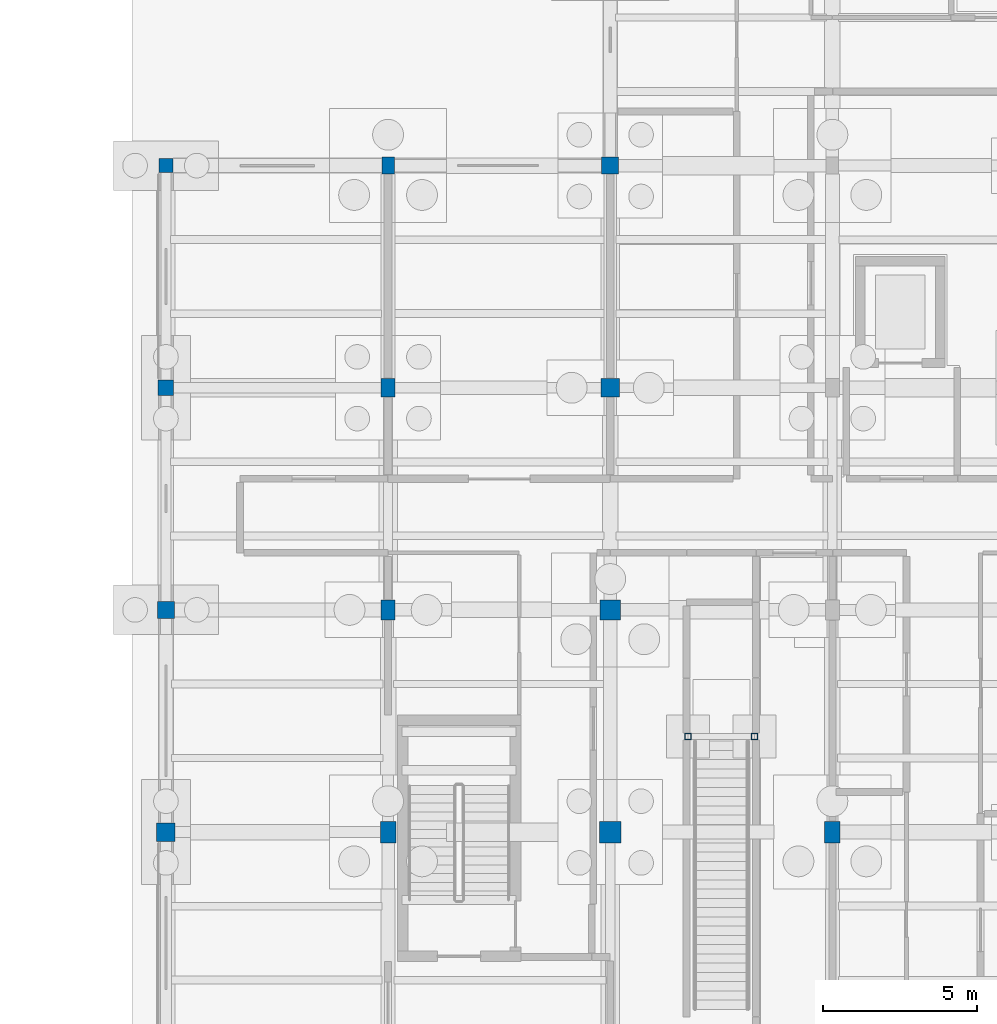
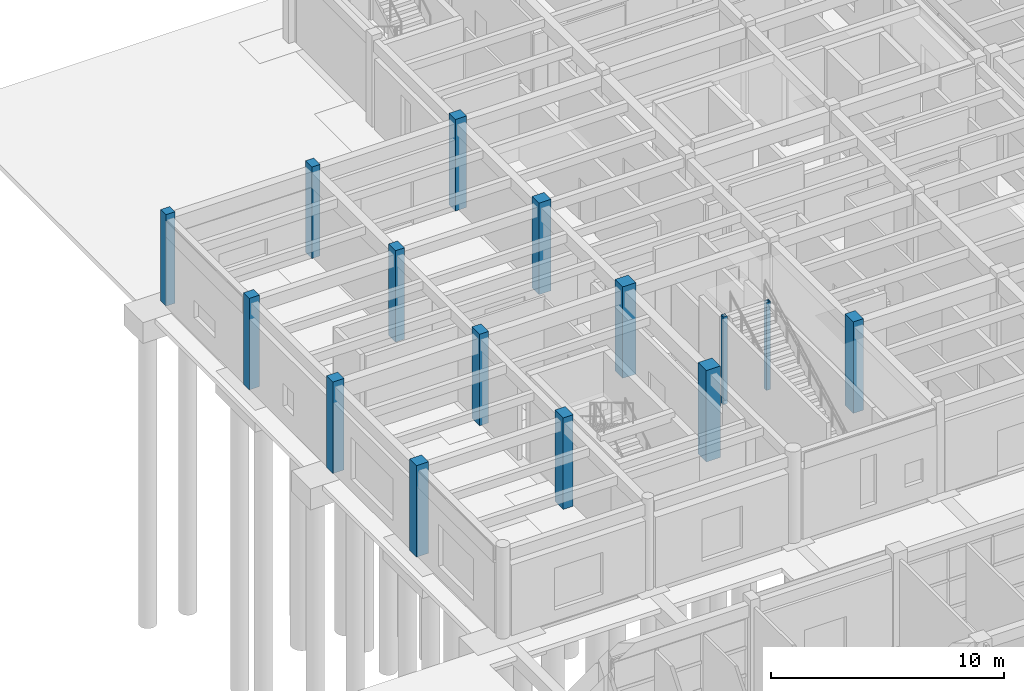
# One storey, part 22 of 143: 15 columns.
"""IFC4 building model written with IfcOpenShell, lengths in metres."""

from ifc_helpers import new_model, si_unit, direction, frame, origin, origin_2d, place, context, subcontext, project, spatial, rectangle, hollow_rectangle, extrude, material, material_profile, profile_set, type_object, element, save


model = new_model("IFC4")

# Units and contexts
model_context = context("Model", 3, precision=1e-05, world=origin(), true_north=direction((0.0, 1.0)))
body_context = subcontext(model_context, "Body", "Model", "MODEL_VIEW")
ifc_project = project(units=[si_unit("LENGTHUNIT", "METRE"), si_unit("AREAUNIT", "SQUARE_METRE"), si_unit("VOLUMEUNIT", "CUBIC_METRE"), si_unit("PLANEANGLEUNIT", "RADIAN"), si_unit("MASSUNIT", "GRAM", prefix="KILO")], contexts=[model_context])

# Site, building, storey
site_placement = place(None, origin())
site = spatial("IfcSite", under=ifc_project, at=site_placement, CompositionType="ELEMENT")
building_placement = place(site_placement, origin())
building = spatial("IfcBuilding", under=site, at=building_placement, Name="Steenspoor Specialist Clinic", CompositionType="ELEMENT")
storey_placement = place(building_placement, origin())
storey = spatial("IfcBuildingStorey", under=building, at=storey_placement, Name="L00", CompositionType="ELEMENT", Elevation=0.0)

# Columns
ifc_material_1 = material(Name="Concrete C40/50", Category="concrete")
ifc_material_profile_1 = material_profile(ifc_material_1, rectangle(XDim=0.39990234375, YDim=0.550048828125, at=origin_2d()), Name="RC-COL-400X550")
ifc_profile_set_1 = profile_set([ifc_material_profile_1], Name="Concrete C40/50")
column_type_1 = type_object("IfcColumnType", Name="COL-RC-400X550", PredefinedType="COLUMN", material=ifc_profile_set_1)
column_1_placement = place(storey_placement, frame((22.800048828125, 93.949951171875, 0.0), z_axis=(0.0, 0.0, 1.0), x_axis=(1.0, 0.0, 0.0)))
element("IfcColumn", 1, at=column_1_placement, inside=storey, type_object=column_type_1, Name="Column COL-L00-0531", PredefinedType="COLUMN", context=body_context, shape_type="SweptSolid", body=[
    extrude(rectangle(XDim=0.39990234375, YDim=0.550048828125, at=origin_2d()), origin(), (0.0, 0.0, 1.0), 4.800048828125),
])
ifc_material_profile_2 = material_profile(ifc_material_1, rectangle(XDim=0.449951171875, YDim=0.449951171875, at=origin_2d()), Name="RC-COL-450X450")
ifc_profile_set_2 = profile_set([ifc_material_profile_2], Name="Concrete C40/50")
column_type_2 = type_object("IfcColumnType", Name="COL-RC-450", PredefinedType="COLUMN", material=ifc_profile_set_2)
column_2_placement = place(storey_placement, frame((15.60009765625, 93.949951171875, 0.0), z_axis=(0.0, 0.0, 1.0), x_axis=(1.0, 0.0, 0.0)))
element("IfcColumn", 2, at=column_2_placement, inside=storey, type_object=column_type_2, Name="Column COL-L00-0514", PredefinedType="COLUMN", context=body_context, shape_type="SweptSolid", body=[
    extrude(rectangle(XDim=0.449951171875, YDim=0.449951171875, at=origin_2d()), origin(), (0.0, 0.0, 1.0), 4.800048828125),
])
ifc_material_profile_3 = material_profile(ifc_material_1, rectangle(XDim=0.449951171875, YDim=0.60009765625, at=origin_2d()), Name="RC-COL-450X600")
ifc_profile_set_3 = profile_set([ifc_material_profile_3], Name="Concrete C40/50")
column_type_3 = type_object("IfcColumnType", Name="COL-RC-450X600", PredefinedType="COLUMN", material=ifc_profile_set_3)
column_3_placement = place(storey_placement, frame((22.800048828125, 86.75, 0.0), z_axis=(0.0, 0.0, 1.0), x_axis=(1.0, 0.0, 0.0)))
element("IfcColumn", 3, at=column_3_placement, inside=storey, type_object=column_type_3, Name="Column COL-L00-0527", PredefinedType="COLUMN", context=body_context, shape_type="SweptSolid", body=[
    extrude(rectangle(XDim=0.449951171875, YDim=0.60009765625, at=origin_2d()), origin(), (0.0, 0.0, 1.0), 4.800048828125),
])
ifc_material_profile_4 = material_profile(ifc_material_1, rectangle(XDim=0.449951171875, YDim=0.64990234375, at=origin_2d()), Name="RC-COL-450X650")
ifc_profile_set_4 = profile_set([ifc_material_profile_4], Name="Concrete C40/50")
column_type_4 = type_object("IfcColumnType", Name="COL-RC-450X650", PredefinedType="COLUMN", material=ifc_profile_set_4)
column_4_placement = place(storey_placement, frame((22.800048828125, 79.550048828125, 0.0), z_axis=(0.0, 0.0, 1.0), x_axis=(1.0, 0.0, 0.0)))
element("IfcColumn", 4, at=column_4_placement, inside=storey, type_object=column_type_4, Name="Column COL-L00-0523", PredefinedType="COLUMN", context=body_context, shape_type="SweptSolid", body=[
    extrude(rectangle(XDim=0.449951171875, YDim=0.64990234375, at=origin_2d()), origin(), (0.0, 0.0, 1.0), 4.800048828125),
])
ifc_material_profile_5 = material_profile(ifc_material_1, rectangle(XDim=0.5, YDim=0.5, at=origin_2d()), Name="RC-COL-500X500")
ifc_profile_set_5 = profile_set([ifc_material_profile_5], Name="Concrete C40/50")
column_type_5 = type_object("IfcColumnType", Name="COL-RC-500", PredefinedType="COLUMN", material=ifc_profile_set_5)
column_5_placement = place(storey_placement, frame((15.60009765625, 86.75, 0.0), z_axis=(0.0, 0.0, 1.0), x_axis=(1.0, 0.0, 0.0)))
element("IfcColumn", 5, at=column_5_placement, inside=storey, type_object=column_type_5, Name="Column COL-L00-0512", PredefinedType="COLUMN", context=body_context, shape_type="SweptSolid", body=[
    extrude(rectangle(XDim=0.5, YDim=0.5, at=origin_2d()), origin(), (0.0, 0.0, 1.0), 4.800048828125),
])
ifc_material_profile_6 = material_profile(ifc_material_1, rectangle(XDim=0.5, YDim=0.699951171875, at=origin_2d()), Name="RC-COL-500X700")
ifc_profile_set_6 = profile_set([ifc_material_profile_6], Name="Concrete C40/50")
column_type_6 = type_object("IfcColumnType", Name="COL-RC-500X700", PredefinedType="COLUMN", material=ifc_profile_set_6)
for number, where, z_axis, x_axis, name in (
    (6, (22.800048828125, 72.35009765625, 0.0), (0.0, 0.0, 1.0), (1.0, 0.0, 0.0), "Column COL-L00-0519"),
    (7, (37.199951171875, 72.35009765625, 0.0), (0.0, 0.0, 1.0), (1.0, 0.0, 0.0), "Column COL-L00-0565"),
):
    element("IfcColumn", number, at=place(storey_placement, frame(where, z_axis=z_axis, x_axis=x_axis)), inside=storey, type_object=column_type_6, Name=name, PredefinedType="COLUMN", context=body_context, shape_type="SweptSolid", body=[
        extrude(rectangle(XDim=0.5, YDim=0.699951171875, at=origin_2d()), origin(), (0.0, 0.0, 1.0), 4.800048828125),
    ])
ifc_material_profile_7 = material_profile(ifc_material_1, rectangle(XDim=0.550048828125, YDim=0.550048828125, at=origin_2d()), Name="RC-COL-550X550")
ifc_profile_set_7 = profile_set([ifc_material_profile_7], Name="Concrete C40/50")
column_type_7 = type_object("IfcColumnType", Name="COL-RC-550", PredefinedType="COLUMN", material=ifc_profile_set_7)
for number, where, z_axis, x_axis, name in (
    (8, (15.60009765625, 79.550048828125, 0.0), (0.0, 0.0, 1.0), (1.0, 0.0, 0.0), "Column COL-L00-0510"),
    (9, (30.0, 93.949951171875, 0.0), (0.0, 0.0, 1.0), (1.0, 0.0, 0.0), "Column COL-L00-0550"),
):
    element("IfcColumn", number, at=place(storey_placement, frame(where, z_axis=z_axis, x_axis=x_axis)), inside=storey, type_object=column_type_7, Name=name, PredefinedType="COLUMN", context=body_context, shape_type="SweptSolid", body=[
        extrude(rectangle(XDim=0.550048828125, YDim=0.550048828125, at=origin_2d()), origin(), (0.0, 0.0, 1.0), 4.800048828125),
    ])
ifc_material_profile_8 = material_profile(ifc_material_1, rectangle(XDim=0.60009765625, YDim=0.60009765625, at=origin_2d()), Name="RC-COL-600X600")
ifc_profile_set_8 = profile_set([ifc_material_profile_8], Name="Concrete C40/50")
column_type_8 = type_object("IfcColumnType", Name="COL-RC-600", PredefinedType="COLUMN", material=ifc_profile_set_8)
for number, where, z_axis, x_axis, name in (
    (10, (15.60009765625, 72.35009765625, 0.0), (0.0, 0.0, 1.0), (1.0, 0.0, 0.0), "Column COL-L00-0508"),
    (11, (30.0, 86.75, 0.0), (0.0, 0.0, 1.0), (1.0, 0.0, 0.0), "Column COL-L00-0546"),
):
    element("IfcColumn", number, at=place(storey_placement, frame(where, z_axis=z_axis, x_axis=x_axis)), inside=storey, type_object=column_type_8, Name=name, PredefinedType="COLUMN", context=body_context, shape_type="SweptSolid", body=[
        extrude(rectangle(XDim=0.60009765625, YDim=0.60009765625, at=origin_2d()), origin(), (0.0, 0.0, 1.0), 4.800048828125),
    ])
ifc_material_profile_9 = material_profile(ifc_material_1, rectangle(XDim=0.64990234375, YDim=0.64990234375, at=origin_2d()), Name="RC-COL-650X650")
ifc_profile_set_9 = profile_set([ifc_material_profile_9], Name="Concrete C40/50")
column_type_9 = type_object("IfcColumnType", Name="COL-RC-650", PredefinedType="COLUMN", material=ifc_profile_set_9)
column_6_placement = place(storey_placement, frame((30.0, 79.550048828125, 0.0), z_axis=(0.0, 0.0, 1.0), x_axis=(1.0, 0.0, 0.0)))
element("IfcColumn", 12, at=column_6_placement, inside=storey, type_object=column_type_9, Name="Column COL-L00-0542", PredefinedType="COLUMN", context=body_context, shape_type="SweptSolid", body=[
    extrude(rectangle(XDim=0.64990234375, YDim=0.64990234375, at=origin_2d()), origin(), (0.0, 0.0, 1.0), 4.800048828125),
])
ifc_material_profile_10 = material_profile(ifc_material_1, rectangle(XDim=0.699951171875, YDim=0.699951171875, at=origin_2d()), Name="RC-COL-700X700")
ifc_profile_set_10 = profile_set([ifc_material_profile_10], Name="Concrete C40/50")
column_type_10 = type_object("IfcColumnType", Name="COL-RC-700", PredefinedType="COLUMN", material=ifc_profile_set_10)
column_7_placement = place(storey_placement, frame((30.0, 72.35009765625, 0.0), z_axis=(0.0, 0.0, 1.0), x_axis=(1.0, 0.0, 0.0)))
element("IfcColumn", 13, at=column_7_placement, inside=storey, type_object=column_type_10, Name="Column COL-L00-0538", PredefinedType="COLUMN", context=body_context, shape_type="SweptSolid", body=[
    extrude(rectangle(XDim=0.699951171875, YDim=0.699951171875, at=origin_2d()), origin(), (0.0, 0.0, 1.0), 4.800048828125),
])
ifc_material_2 = material(Name="Steel A500 Grade C", Category="steel")
ifc_material_profile_11 = material_profile(ifc_material_2, hollow_rectangle(XDim=0.203125, YDim=0.203125, WallThickness=0.01171875, at=origin_2d()), Name="HSS203X203X12.7")
ifc_profile_set_11 = profile_set([ifc_material_profile_11], Name="Steel A500 Grade C")
column_type_11 = type_object("IfcColumnType", Name="COL-ST-HSS203", PredefinedType="COLUMN", material=ifc_profile_set_11)
for number, where, z_axis, x_axis, name in (
    (14, (32.52490234375, 75.449951171875, 0.0), (0.0, 0.0, 1.0), (1.0, 0.0, 0.0), "Feature Stair Post ST-F05 L"),
    (15, (34.675048828125, 75.449951171875, 0.0), (0.0, 0.0, 1.0), (1.0, 0.0, 0.0), "Feature Stair Post ST-F05 R"),
):
    element("IfcColumn", number, at=place(storey_placement, frame(where, z_axis=z_axis, x_axis=x_axis)), inside=storey, type_object=column_type_11, Name=name, PredefinedType="COLUMN", context=body_context, shape_type="SweptSolid", body=[
        extrude(hollow_rectangle(XDim=0.203125, YDim=0.203125, WallThickness=0.01171875, at=origin_2d()), origin(), (0.0, 0.0, 1.0), 4.60009765625),
    ])

save(model, "model.ifc")
